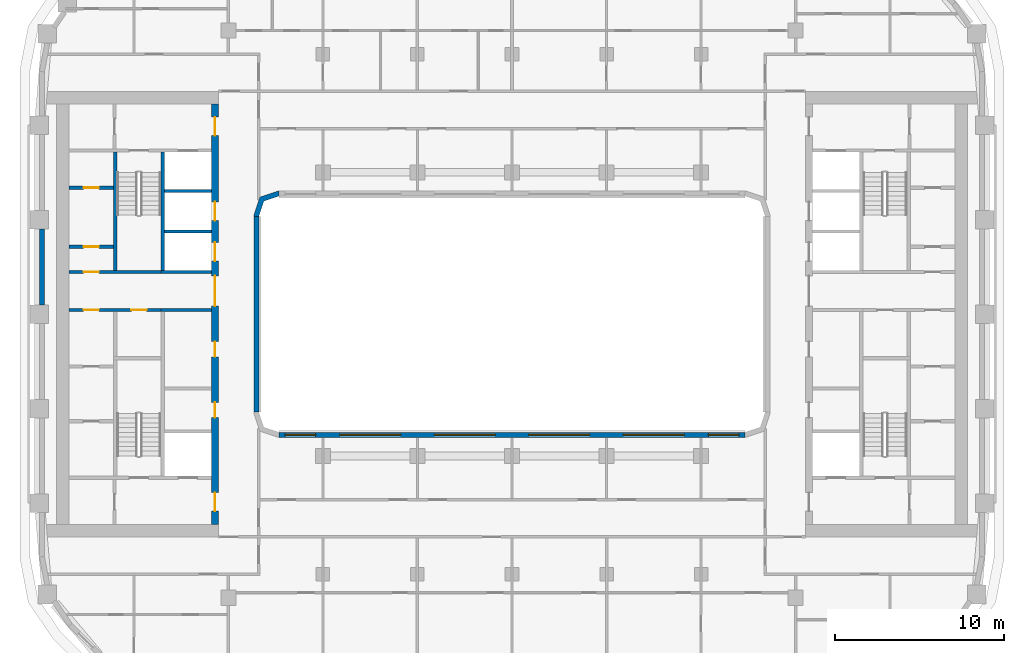
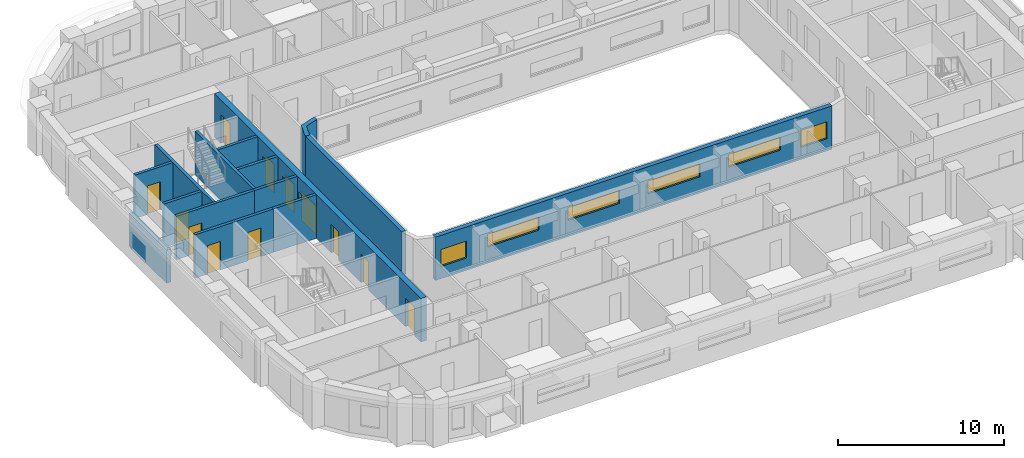
# One storey, part 4 of 22: 15 walls, 12 doors, 6 windows, 18 openings.
"""IFC4 building model written with IfcOpenShell, lengths in metres."""

from ifc_helpers import new_model, si_unit, direction, frame, frame_2d, origin, place, context, subcontext, project, spatial, polyline, rectangle, outline, extrude, material, layer, layer_set, type_object, element, fill, save


model = new_model("IFC4")

# Units and contexts
model_context = context("Model", 3, precision=1e-05, world=origin(), true_north=direction((0.0, 1.0)))
body_context = subcontext(model_context, "Body", "Model", "MODEL_VIEW")
ifc_project = project(units=[si_unit("LENGTHUNIT", "METRE"), si_unit("AREAUNIT", "SQUARE_METRE"), si_unit("VOLUMEUNIT", "CUBIC_METRE"), si_unit("PLANEANGLEUNIT", "RADIAN"), si_unit("MASSUNIT", "GRAM", prefix="KILO")], contexts=[model_context])

# Site, building, storey
site_placement = place(None, origin())
site = spatial("IfcSite", under=ifc_project, at=site_placement, CompositionType="ELEMENT")
building_placement = place(site_placement, origin())
building = spatial("IfcBuilding", under=site, at=building_placement, Name="Kiln Ring Residences", CompositionType="ELEMENT")
storey_placement = place(building_placement, frame((0.0, 0.0, 150.10009765625)))
storey = spatial("IfcBuildingStorey", under=building, at=storey_placement, Name="L38", CompositionType="ELEMENT", Elevation=150.10009765625)

# Wall, openings, doors
ifc_material_1 = material(Name="Gypsum board on steel studs", Category="steel")
ifc_layer_1 = layer(ifc_material_1, 0.199951171875)
ifc_layer_set_1 = layer_set([ifc_layer_1], Name="CORE-PARTITION-200")
wall_type_1 = type_object("IfcWallType", Name="CORE-PARTITION-200", PredefinedType="PARTITIONING", material=ifc_layer_set_1)
wall_1_placement = place(storey_placement, frame((-20.800048828125, 0.25, 0.0), z_axis=(0.0, 0.0, 1.0), x_axis=(-1.0, 0.0, 0.0)))
wall_1 = element("IfcWall", 1, at=wall_1_placement, inside=storey, type_object=wall_type_1, Name="Core partition west L38 2", PredefinedType="PARTITIONING", context=body_context, shape_type="SweptSolid", body=[
    extrude(rectangle(XDim=5.449951171875, YDim=0.199951171875, at=frame_2d((2.72509765625, 0.0))), origin(), (0.0, 0.0, 1.0), 3.199951171875),
])
opening_1_placement = place(wall_1_placement, frame((0.85009765625, 0.0, 0.0)))
opening_1 = element("IfcOpeningElement", 2, at=opening_1_placement, cuts=wall_1, Name="Opening L38-CW14", PredefinedType="OPENING", context=body_context, shape_type="SweptSolid", body=[
    extrude(rectangle(XDim=0.89990234375, YDim=2.10009765625, at=frame_2d((0.449951171875, 1.050048828125))), frame((0.0, 0.10986328125, 0.0), z_axis=(0.0, -1.0, 0.0), x_axis=(1.0, 0.0, 0.0)), (0.0, 0.0, 1.0), 0.219970703125),
])
opening_2_placement = place(wall_1_placement, frame((3.675048828125, 0.0, 0.0)))
opening_2 = element("IfcOpeningElement", 3, at=opening_2_placement, cuts=wall_1, Name="Opening L38-CW17", PredefinedType="OPENING", context=body_context, shape_type="SweptSolid", body=[
    extrude(rectangle(XDim=0.89990234375, YDim=2.10009765625, at=frame_2d((0.449951171875, 1.050048828125))), frame((0.0, 0.10986328125, 0.0), z_axis=(0.0, -1.0, 0.0), x_axis=(1.0, 0.0, 0.0)), (0.0, 0.0, 1.0), 0.219970703125),
])
ifc_material_2 = material(Name="Steel door leaf", Category="steel")
door_type_1 = type_object("IfcDoorType", Name="CORE-DOOR-ROOM", OperationType="SINGLE_SWING_LEFT", PredefinedType="DOOR", material=ifc_material_2)
door_1_placement = place(opening_1_placement, origin())
door_1 = element("IfcDoor", 4, at=door_1_placement, inside=storey, type_object=door_type_1, Name="Electrical riser room L38-CW14", OperationType="SINGLE_SWING_RIGHT", OverallHeight=2.10009765625, OverallWidth=0.89990234375, PredefinedType="DOOR", context=body_context, shape_type="SweptSolid", body=[
    extrude(rectangle(XDim=0.89990234375, YDim=2.10009765625, at=frame_2d((0.449951171875, 1.050048828125))), frame((0.0, 0.02490234375, 0.0), z_axis=(0.0, -1.0, 0.0), x_axis=(1.0, 0.0, 0.0)), (0.0, 0.0, 1.0), 0.050048828125),
])
fill(opening_1, door_1)
door_2_placement = place(opening_2_placement, origin())
door_2 = element("IfcDoor", 5, at=door_2_placement, inside=storey, type_object=door_type_1, Name="Plant room L38-CW17", OperationType="SINGLE_SWING_LEFT", OverallHeight=2.10009765625, OverallWidth=0.89990234375, PredefinedType="DOOR", context=body_context, shape_type="SweptSolid", body=[
    extrude(rectangle(XDim=0.89990234375, YDim=2.10009765625, at=frame_2d((0.449951171875, 1.050048828125))), frame((0.0, 0.02490234375, 0.0), z_axis=(0.0, -1.0, 0.0), x_axis=(1.0, 0.0, 0.0)), (0.0, 0.0, 1.0), 0.050048828125),
])
fill(opening_2, door_2)

# Wall, opening, door
wall_2_placement = place(storey_placement, frame((-23.60009765625, 4.0, 0.0), z_axis=(0.0, 0.0, 1.0), x_axis=(-1.0, 0.0, 0.0)))
wall_2 = element("IfcWall", 6, at=wall_2_placement, inside=storey, type_object=wall_type_1, Name="Core partition west L38 8", PredefinedType="PARTITIONING", context=body_context, shape_type="SweptSolid", body=[
    extrude(rectangle(XDim=2.64990234375, YDim=0.199951171875, at=frame_2d((1.324951171875, 0.0))), origin(), (0.0, 0.0, 1.0), 3.199951171875),
])
opening_3_placement = place(wall_2_placement, frame((0.875, 0.0, 0.0)))
opening_3 = element("IfcOpeningElement", 7, at=opening_3_placement, cuts=wall_2, Name="Opening L38-CW18", PredefinedType="OPENING", context=body_context, shape_type="SweptSolid", body=[
    extrude(rectangle(XDim=0.89990234375, YDim=2.10009765625, at=frame_2d((0.449951171875, 1.050048828125))), frame((0.0, 0.10986328125, 0.0), z_axis=(0.0, -1.0, 0.0), x_axis=(1.0, 0.0, 0.0)), (0.0, 0.0, 1.0), 0.219970703125),
])
door_3_placement = place(opening_3_placement, origin())
door_3 = element("IfcDoor", 8, at=door_3_placement, inside=storey, type_object=door_type_1, Name="Electrical plant room L38-CW18", OperationType="SINGLE_SWING_LEFT", OverallHeight=2.10009765625, OverallWidth=0.89990234375, PredefinedType="DOOR", context=body_context, shape_type="SweptSolid", body=[
    extrude(rectangle(XDim=0.89990234375, YDim=2.10009765625, at=frame_2d((0.449951171875, 1.050048828125))), frame((0.0, 0.02490234375, 0.0), z_axis=(0.0, -1.0, 0.0), x_axis=(1.0, 0.0, 0.0)), (0.0, 0.0, 1.0), 0.050048828125),
])
fill(opening_3, door_3)

wall_3_placement = place(storey_placement, frame((-23.60009765625, 7.5, 0.0), z_axis=(0.0, 0.0, 1.0), x_axis=(-1.0, 0.0, 0.0)))
wall_3 = element("IfcWall", 9, at=wall_3_placement, inside=storey, type_object=wall_type_1, Name="Core partition west L38 9", PredefinedType="PARTITIONING", context=body_context, shape_type="SweptSolid", body=[
    extrude(rectangle(XDim=2.64990234375, YDim=0.199951171875, at=frame_2d((1.324951171875, 0.0))), origin(), (0.0, 0.0, 1.0), 3.199951171875),
])
opening_4_placement = place(wall_3_placement, frame((0.875, 0.0, 0.0)))
opening_4 = element("IfcOpeningElement", 10, at=opening_4_placement, cuts=wall_3, Name="Opening L38-CW19", PredefinedType="OPENING", context=body_context, shape_type="SweptSolid", body=[
    extrude(rectangle(XDim=0.89990234375, YDim=2.10009765625, at=frame_2d((0.449951171875, 1.050048828125))), frame((0.0, 0.10986328125, 0.0), z_axis=(0.0, -1.0, 0.0), x_axis=(1.0, 0.0, 0.0)), (0.0, 0.0, 1.0), 0.219970703125),
])
door_4_placement = place(opening_4_placement, origin())
door_4 = element("IfcDoor", 11, at=door_4_placement, inside=storey, type_object=door_type_1, Name="UPS room L38-CW19", OperationType="SINGLE_SWING_RIGHT", OverallHeight=2.10009765625, OverallWidth=0.89990234375, PredefinedType="DOOR", context=body_context, shape_type="SweptSolid", body=[
    extrude(rectangle(XDim=0.89990234375, YDim=2.10009765625, at=frame_2d((0.449951171875, 1.050048828125))), frame((0.0, 0.02490234375, 0.0), z_axis=(0.0, -1.0, 0.0), x_axis=(1.0, 0.0, 0.0)), (0.0, 0.0, 1.0), 0.050048828125),
])
fill(opening_4, door_4)

# Walls
ifc_material_3 = material(Name="Gypsum shaft wall system")
ifc_layer_2 = layer(ifc_material_3, 0.199951171875)
ifc_layer_set_2 = layer_set([ifc_layer_2], Name="CORE-SHAFT-WALL-200")
wall_type_2 = type_object("IfcWallType", Name="CORE-SHAFT-WALL-200", PredefinedType="PARTITIONING", material=ifc_layer_set_2)
for number, where, z_axis, x_axis, name in (
    (12, (-17.800048828125, 0.25, 0.0), (0.0, 0.0, 1.0), (-1.0, 0.0, 0.0), "Core partition west L38 11"),
    (13, (-17.800048828125, 2.5, 0.0), (0.0, 0.0, 1.0), (-1.0, 0.0, 0.0), "Core partition west L38 12"),
):
    element("IfcWall", number, at=place(storey_placement, frame(where, z_axis=z_axis, x_axis=x_axis)), inside=storey, type_object=wall_type_2, Name=name, PredefinedType="PARTITIONING", context=body_context, shape_type="SweptSolid", body=[
        extrude(rectangle(XDim=3.0, YDim=0.199951171875, at=frame_2d((1.5, 0.0))), origin(), (0.0, 0.0, 1.0), 3.199951171875),
    ])
for number, where, z_axis, x_axis, name in (
    (14, (-17.800048828125, 4.89990234375, 0.0), (0.0, 0.0, 1.0), (-1.0, 0.0, 0.0), "Core partition west L38 13"),
    (15, (-17.800048828125, 7.300048828125, 0.0), (0.0, 0.0, 1.0), (-1.0, 0.0, 0.0), "Core partition west L38 14"),
):
    element("IfcWall", number, at=place(storey_placement, frame(where, z_axis=z_axis, x_axis=x_axis)), inside=storey, type_object=wall_type_2, Name=name, PredefinedType="PARTITIONING", context=body_context, shape_type="SweptSolid", body=[
        extrude(rectangle(XDim=2.800048828125, YDim=0.199951171875, at=frame_2d((1.39990234375, 0.0))), origin(), (0.0, 0.0, 1.0), 3.199951171875),
    ])
ifc_material_4 = material(Name="Concrete C40/50", Category="concrete")
ifc_layer_3 = layer(ifc_material_4, 0.199951171875)
ifc_layer_set_3 = layer_set([ifc_layer_3], Name="CORE-WALL-RC200")
wall_type_3 = type_object("IfcWallType", Name="CORE-WALL-RC200", PredefinedType="SHEAR", material=ifc_layer_set_3)
wall_4_placement = place(storey_placement, frame((-20.699951171875, 2.60009765625, 0.0), z_axis=(0.0, 0.0, 1.0), x_axis=(0.0, 1.0, 0.0)))
element("IfcWall", 16, at=wall_4_placement, inside=storey, type_object=wall_type_3, Name="Core wall west L38 1", PredefinedType="SHEAR", context=body_context, shape_type="SweptSolid", body=[
    extrude(rectangle(XDim=7.0, YDim=0.199951171875, at=frame_2d((3.5, 0.0))), origin(), (0.0, 0.0, 1.0), 3.199951171875),
])

# Wall, opening, door
wall_5_placement = place(storey_placement, frame((-20.800048828125, 2.5, 0.0), z_axis=(0.0, 0.0, 1.0), x_axis=(-1.0, 0.0, 0.0)))
wall_5 = element("IfcWall", 17, at=wall_5_placement, inside=storey, type_object=wall_type_3, Name="Core wall west L38 3", PredefinedType="SHEAR", context=body_context, shape_type="SweptSolid", body=[
    extrude(rectangle(XDim=5.449951171875, YDim=0.199951171875, at=frame_2d((2.72509765625, 0.0))), origin(), (0.0, 0.0, 1.0), 3.199951171875),
])
opening_5_placement = place(wall_5_placement, frame((3.675048828125, 0.0, 0.0)))
opening_5 = element("IfcOpeningElement", 18, at=opening_5_placement, cuts=wall_5, Name="Opening L38-CW20", PredefinedType="OPENING", context=body_context, shape_type="SweptSolid", body=[
    extrude(rectangle(XDim=0.89990234375, YDim=2.10009765625, at=frame_2d((0.449951171875, 1.050048828125))), frame((0.0, 0.10986328125, 0.0), z_axis=(0.0, -1.0, 0.0), x_axis=(1.0, 0.0, 0.0)), (0.0, 0.0, 1.0), 0.219970703125),
])
door_5_placement = place(opening_5_placement, origin())
door_5 = element("IfcDoor", 19, at=door_5_placement, inside=storey, type_object=door_type_1, Name="Comms room L38-CW20", OperationType="SINGLE_SWING_LEFT", OverallHeight=2.10009765625, OverallWidth=0.89990234375, PredefinedType="DOOR", context=body_context, shape_type="SweptSolid", body=[
    extrude(rectangle(XDim=0.89990234375, YDim=2.10009765625, at=frame_2d((0.449951171875, 1.050048828125))), frame((0.0, 0.02490234375, 0.0), z_axis=(0.0, -1.0, 0.0), x_axis=(1.0, 0.0, 0.0)), (0.0, 0.0, 1.0), 0.050048828125),
])
fill(opening_5, door_5)

# Wall
wall_6_placement = place(storey_placement, frame((-23.5, 2.60009765625, 0.0), z_axis=(0.0, 0.0, 1.0), x_axis=(0.0, 1.0, 0.0)))
element("IfcWall", 20, at=wall_6_placement, inside=storey, type_object=wall_type_3, Name="Core wall west L38 10", PredefinedType="SHEAR", context=body_context, shape_type="SweptSolid", body=[
    extrude(rectangle(XDim=7.0, YDim=0.199951171875, at=frame_2d((3.5, 0.0))), origin(), (0.0, 0.0, 1.0), 3.199951171875),
])

# Wall, openings, doors
ifc_material_5 = material(Name="Concrete C60/75", Category="concrete")
ifc_layer_4 = layer(ifc_material_5, 0.39990234375)
ifc_layer_set_4 = layer_set([ifc_layer_4], Name="CORE-WALL-RC400")
wall_type_4 = type_object("IfcWallType", Name="CORE-WALL-RC400", PredefinedType="SHEAR", material=ifc_layer_set_4)
wall_7_placement = place(storey_placement, frame((-17.60009765625, -12.449951171875, 0.0), z_axis=(0.0, 0.0, 1.0), x_axis=(0.0, 1.0, 0.0)))
wall_7 = element("IfcWall", 21, at=wall_7_placement, inside=storey, type_object=wall_type_4, Name="Core wall west L38 6", PredefinedType="SHEAR", context=body_context, shape_type="SweptSolid", body=[
    extrude(rectangle(XDim=24.89990234375, YDim=0.39990234375, at=frame_2d((12.449951171875, 0.0))), origin(), (0.0, 0.0, 1.0), 3.199951171875),
])
opening_6_placement = place(wall_7_placement, frame((6.324951171875, 0.0, 0.0)))
opening_6 = element("IfcOpeningElement", 22, at=opening_6_placement, cuts=wall_7, Name="Opening L38-CW02", PredefinedType="OPENING", context=body_context, shape_type="SweptSolid", body=[
    extrude(rectangle(XDim=0.89990234375, YDim=2.10009765625, at=frame_2d((0.449951171875, 1.050048828125))), frame((0.0, 0.2099609375, 0.0), z_axis=(0.0, -1.0, 0.0), x_axis=(1.0, 0.0, 0.0)), (0.0, 0.0, 1.0), 0.419921875),
])
opening_7_placement = place(wall_7_placement, frame((9.925048828125, 0.0, 0.0)))
opening_7 = element("IfcOpeningElement", 23, at=opening_7_placement, cuts=wall_7, Name="Opening L38-CW03", PredefinedType="OPENING", context=body_context, shape_type="SweptSolid", body=[
    extrude(rectangle(XDim=0.89990234375, YDim=2.10009765625, at=frame_2d((0.449951171875, 1.050048828125))), frame((0.0, 0.2099609375, 0.0), z_axis=(0.0, -1.0, 0.0), x_axis=(1.0, 0.0, 0.0)), (0.0, 0.0, 1.0), 0.419921875),
])
opening_8_placement = place(wall_7_placement, frame((15.60009765625, 0.0, 0.0)))
opening_8 = element("IfcOpeningElement", 24, at=opening_8_placement, cuts=wall_7, Name="Opening L38-CW04", PredefinedType="OPENING", context=body_context, shape_type="SweptSolid", body=[
    extrude(rectangle(XDim=1.10009765625, YDim=2.10009765625, at=frame_2d((0.550048828125, 1.050048828125))), frame((0.0, 0.2099609375, 0.0), z_axis=(0.0, -1.0, 0.0), x_axis=(1.0, 0.0, 0.0)), (0.0, 0.0, 1.0), 0.419921875),
])
opening_9_placement = place(wall_7_placement, frame((18.0, 0.0, 0.0)))
opening_9 = element("IfcOpeningElement", 25, at=opening_9_placement, cuts=wall_7, Name="Opening L38-CW05", PredefinedType="OPENING", context=body_context, shape_type="SweptSolid", body=[
    extrude(rectangle(XDim=1.10009765625, YDim=2.10009765625, at=frame_2d((0.550048828125, 1.050048828125))), frame((0.0, 0.2099609375, 0.0), z_axis=(0.0, -1.0, 0.0), x_axis=(1.0, 0.0, 0.0)), (0.0, 0.0, 1.0), 0.419921875),
])
opening_10_placement = place(wall_7_placement, frame((23.02490234375, 0.0, 0.0)))
opening_10 = element("IfcOpeningElement", 26, at=opening_10_placement, cuts=wall_7, Name="Opening L38-CW07", PredefinedType="OPENING", context=body_context, shape_type="SweptSolid", body=[
    extrude(rectangle(XDim=1.10009765625, YDim=2.10009765625, at=frame_2d((0.550048828125, 1.050048828125))), frame((0.0, 0.2099609375, 0.0), z_axis=(0.0, -1.0, 0.0), x_axis=(1.0, 0.0, 0.0)), (0.0, 0.0, 1.0), 0.419921875),
])
opening_11_placement = place(wall_7_placement, frame((0.77490234375, 0.0, 0.0)))
opening_11 = element("IfcOpeningElement", 27, at=opening_11_placement, cuts=wall_7, Name="Opening L38-CW08", PredefinedType="OPENING", context=body_context, shape_type="SweptSolid", body=[
    extrude(rectangle(XDim=1.10009765625, YDim=2.10009765625, at=frame_2d((0.550048828125, 1.050048828125))), frame((0.0, 0.2099609375, 0.0), z_axis=(0.0, -1.0, 0.0), x_axis=(1.0, 0.0, 0.0)), (0.0, 0.0, 1.0), 0.419921875),
])
opening_12_placement = place(wall_7_placement, frame((12.925048828125, 0.0, 0.0)))
opening_12 = element("IfcOpeningElement", 28, at=opening_12_placement, cuts=wall_7, Name="Opening L38-CW13", PredefinedType="OPENING", context=body_context, shape_type="SweptSolid", body=[
    extrude(rectangle(XDim=1.800048828125, YDim=2.10009765625, at=frame_2d((0.89990234375, 1.050048828125))), frame((0.0, 0.2099609375, 0.0), z_axis=(0.0, -1.0, 0.0), x_axis=(1.0, 0.0, 0.0)), (0.0, 0.0, 1.0), 0.419921875),
])
ifc_material_6 = material(Name="Steel door leaf", Category="steel")
door_type_2 = type_object("IfcDoorType", Name="CORE-DOOR-LD", OperationType="DOUBLE_DOOR_SLIDING", PredefinedType="DOOR", material=ifc_material_6)
door_6_placement = place(opening_8_placement, origin())
door_6 = element("IfcDoor", 29, at=door_6_placement, inside=storey, type_object=door_type_2, Name="LD W-M1 L38-CW04", OperationType="DOUBLE_DOOR_SLIDING", OverallHeight=2.10009765625, OverallWidth=1.10009765625, PredefinedType="DOOR", context=body_context, shape_type="SweptSolid", body=[
    extrude(rectangle(XDim=1.10009765625, YDim=2.10009765625, at=frame_2d((0.550048828125, 1.050048828125))), frame((0.0, 0.02490234375, 0.0), z_axis=(0.0, -1.0, 0.0), x_axis=(1.0, 0.0, 0.0)), (0.0, 0.0, 1.0), 0.050048828125),
])
fill(opening_8, door_6)
door_7_placement = place(opening_9_placement, origin())
door_7 = element("IfcDoor", 30, at=door_7_placement, inside=storey, type_object=door_type_2, Name="LD W-M2 L38-CW05", OperationType="DOUBLE_DOOR_SLIDING", OverallHeight=2.10009765625, OverallWidth=1.10009765625, PredefinedType="DOOR", context=body_context, shape_type="SweptSolid", body=[
    extrude(rectangle(XDim=1.10009765625, YDim=2.10009765625, at=frame_2d((0.550048828125, 1.050048828125))), frame((0.0, 0.02490234375, 0.0), z_axis=(0.0, -1.0, 0.0), x_axis=(1.0, 0.0, 0.0)), (0.0, 0.0, 1.0), 0.050048828125),
])
fill(opening_9, door_7)
ifc_material_7 = material(Name="Steel door leaf", Category="steel")
door_type_3 = type_object("IfcDoorType", Name="CORE-DOOR-LOBBY", OperationType="SINGLE_SWING_LEFT", PredefinedType="DOOR", material=ifc_material_7)
door_8_placement = place(opening_10_placement, origin())
door_8 = element("IfcDoor", 31, at=door_8_placement, inside=storey, type_object=door_type_3, Name="FFL L38-CW07", OperationType="SINGLE_SWING_RIGHT", OverallHeight=2.10009765625, OverallWidth=1.10009765625, PredefinedType="DOOR", context=body_context, shape_type="SweptSolid", body=[
    extrude(rectangle(XDim=1.10009765625, YDim=2.10009765625, at=frame_2d((0.550048828125, 1.050048828125))), frame((0.0, 0.02490234375, 0.0), z_axis=(0.0, -1.0, 0.0), x_axis=(1.0, 0.0, 0.0)), (0.0, 0.0, 1.0), 0.050048828125),
])
fill(opening_10, door_8)
door_9_placement = place(opening_11_placement, origin())
door_9 = element("IfcDoor", 32, at=door_9_placement, inside=storey, type_object=door_type_3, Name="SVL L38-CW08", OperationType="SINGLE_SWING_LEFT", OverallHeight=2.10009765625, OverallWidth=1.10009765625, PredefinedType="DOOR", context=body_context, shape_type="SweptSolid", body=[
    extrude(rectangle(XDim=1.10009765625, YDim=2.10009765625, at=frame_2d((0.550048828125, 1.050048828125))), frame((0.0, 0.02490234375, 0.0), z_axis=(0.0, -1.0, 0.0), x_axis=(1.0, 0.0, 0.0)), (0.0, 0.0, 1.0), 0.050048828125),
])
fill(opening_11, door_9)
ifc_material_8 = material(Name="Steel door leaf", Category="steel")
door_type_4 = type_object("IfcDoorType", Name="CORE-DOOR-PASS", OperationType="DOUBLE_DOOR_SINGLE_SWING", PredefinedType="DOOR", material=ifc_material_8)
door_10_placement = place(opening_12_placement, origin())
door_10 = element("IfcDoor", 33, at=door_10_placement, inside=storey, type_object=door_type_4, Name="Core passage L38-CW13", OperationType="DOUBLE_DOOR_SINGLE_SWING", OverallHeight=2.10009765625, OverallWidth=1.800048828125, PredefinedType="DOOR", context=body_context, shape_type="SweptSolid", body=[
    extrude(rectangle(XDim=1.800048828125, YDim=2.10009765625, at=frame_2d((0.89990234375, 1.050048828125))), frame((0.0, 0.02490234375, 0.0), z_axis=(0.0, -1.0, 0.0), x_axis=(1.0, 0.0, 0.0)), (0.0, 0.0, 1.0), 0.050048828125),
])
fill(opening_12, door_10)
door_11_placement = place(opening_6_placement, origin())
door_11 = element("IfcDoor", 34, at=door_11_placement, inside=storey, type_object=door_type_1, Name="Goods store L38-CW02", OperationType="SINGLE_SWING_RIGHT", OverallHeight=2.10009765625, OverallWidth=0.89990234375, PredefinedType="DOOR", context=body_context, shape_type="SweptSolid", body=[
    extrude(rectangle(XDim=0.89990234375, YDim=2.10009765625, at=frame_2d((0.449951171875, 1.050048828125))), frame((0.0, 0.02490234375, 0.0), z_axis=(0.0, -1.0, 0.0), x_axis=(1.0, 0.0, 0.0)), (0.0, 0.0, 1.0), 0.050048828125),
])
fill(opening_6, door_11)
door_12_placement = place(opening_7_placement, origin())
door_12 = element("IfcDoor", 35, at=door_12_placement, inside=storey, type_object=door_type_1, Name="Storage room L38-CW03", OperationType="SINGLE_SWING_LEFT", OverallHeight=2.10009765625, OverallWidth=0.89990234375, PredefinedType="DOOR", context=body_context, shape_type="SweptSolid", body=[
    extrude(rectangle(XDim=0.89990234375, YDim=2.10009765625, at=frame_2d((0.449951171875, 1.050048828125))), frame((0.0, 0.02490234375, 0.0), z_axis=(0.0, -1.0, 0.0), x_axis=(1.0, 0.0, 0.0)), (0.0, 0.0, 1.0), 0.050048828125),
])
fill(opening_7, door_12)

# Walls
ifc_material_9 = material(Name="Brick masonry, dark clay brick", Category="masonry")
ifc_layer_5 = layer(ifc_material_9, 0.300048828125)
ifc_layer_set_5 = layer_set([ifc_layer_5], Name="EW-300 BRICK WALL")
wall_type_5 = type_object("IfcWallType", Name="EW-300 BRICK WALL", PredefinedType="SOLIDWALL", material=ifc_layer_set_5)
wall_8_placement = place(storey_placement, frame((-27.85009765625, 5.050048828125, 0.0), z_axis=(0.0, 0.0, 1.0), x_axis=(0.0, -1.0, 0.0)))
element("IfcWall", 36, at=wall_8_placement, inside=storey, type_object=wall_type_5, Name="Facade wall L38 43", PredefinedType="SOLIDWALL", context=body_context, shape_type="SweptSolid", body=[
    extrude(rectangle(XDim=4.5, YDim=0.300048828125, at=frame_2d((2.25, 0.0))), origin(), (0.0, 0.0, 1.0), 2.449951171875),
])
wall_9_placement = place(storey_placement, frame((-15.14990234375, -5.800048828125, 0.0), z_axis=(0.0, 0.0, 1.0), x_axis=(0.0, 1.0, 0.0)))
element("IfcWall", 37, at=wall_9_placement, inside=storey, type_object=wall_type_5, Name="Facade wall L38 49", PredefinedType="SOLIDWALL", context=body_context, shape_type="SweptSolid", body=[
    extrude(rectangle(XDim=11.60009765625, YDim=0.300048828125, at=frame_2d((5.800048828125, 0.0))), origin(), (0.0, 0.0, 1.0), 3.199951171875),
])

# Wall, openings, windows
wall_10_placement = place(storey_placement, frame((13.800048828125, -7.14990234375, 0.0), z_axis=(0.0, 0.0, 1.0), x_axis=(-1.0, 0.0, 0.0)))
wall_10 = element("IfcWall", 38, at=wall_10_placement, inside=storey, type_object=wall_type_5, Name="Facade wall L38 52", PredefinedType="SOLIDWALL", context=body_context, shape_type="SweptSolid", body=[
    extrude(rectangle(XDim=27.60009765625, YDim=0.300048828125, at=frame_2d((13.800048828125, 0.0))), origin(), (0.0, 0.0, 1.0), 3.199951171875),
])
opening_13_placement = place(wall_10_placement, frame((0.362548828125, 0.0, 0.89990234375)))
opening_13 = element("IfcOpeningElement", 39, at=opening_13_placement, cuts=wall_10, Name="Opening W2", PredefinedType="OPENING", context=body_context, shape_type="SweptSolid", body=[
    extrude(rectangle(XDim=1.800048828125, YDim=1.25, at=frame_2d((0.89990234375, 0.625))), frame((0.0, 0.159912109375, 0.0), z_axis=(0.0, -1.0, 0.0), x_axis=(1.0, 0.0, 0.0)), (0.0, 0.0, 1.0), 0.320068359375),
])
opening_14_placement = place(wall_10_placement, frame((3.60009765625, 0.0, 1.199951171875)))
opening_14 = element("IfcOpeningElement", 40, at=opening_14_placement, cuts=wall_10, Name="Opening W4", PredefinedType="OPENING", context=body_context, shape_type="SweptSolid", body=[
    extrude(rectangle(XDim=3.60009765625, YDim=0.949951171875, at=frame_2d((1.800048828125, 0.47509765625))), frame((0.0, 0.159912109375, 0.0), z_axis=(0.0, -1.0, 0.0), x_axis=(1.0, 0.0, 0.0)), (0.0, 0.0, 1.0), 0.320068359375),
])
opening_15_placement = place(wall_10_placement, frame((9.199951171875, 0.0, 1.199951171875)))
opening_15 = element("IfcOpeningElement", 41, at=opening_15_placement, cuts=wall_10, Name="Opening W4", PredefinedType="OPENING", context=body_context, shape_type="SweptSolid", body=[
    extrude(rectangle(XDim=3.60009765625, YDim=0.949951171875, at=frame_2d((1.800048828125, 0.47509765625))), frame((0.0, 0.159912109375, 0.0), z_axis=(0.0, -1.0, 0.0), x_axis=(1.0, 0.0, 0.0)), (0.0, 0.0, 1.0), 0.320068359375),
])
opening_16_placement = place(wall_10_placement, frame((14.800048828125, 0.0, 1.199951171875)))
opening_16 = element("IfcOpeningElement", 42, at=opening_16_placement, cuts=wall_10, Name="Opening W4", PredefinedType="OPENING", context=body_context, shape_type="SweptSolid", body=[
    extrude(rectangle(XDim=3.60009765625, YDim=0.949951171875, at=frame_2d((1.800048828125, 0.47509765625))), frame((0.0, 0.159912109375, 0.0), z_axis=(0.0, -1.0, 0.0), x_axis=(1.0, 0.0, 0.0)), (0.0, 0.0, 1.0), 0.320068359375),
])
opening_17_placement = place(wall_10_placement, frame((20.39990234375, 0.0, 1.199951171875)))
opening_17 = element("IfcOpeningElement", 43, at=opening_17_placement, cuts=wall_10, Name="Opening W4", PredefinedType="OPENING", context=body_context, shape_type="SweptSolid", body=[
    extrude(rectangle(XDim=3.60009765625, YDim=0.949951171875, at=frame_2d((1.800048828125, 0.47509765625))), frame((0.0, 0.159912109375, 0.0), z_axis=(0.0, -1.0, 0.0), x_axis=(1.0, 0.0, 0.0)), (0.0, 0.0, 1.0), 0.320068359375),
])
opening_18_placement = place(wall_10_placement, frame((25.4375, 0.0, 0.89990234375)))
opening_18 = element("IfcOpeningElement", 44, at=opening_18_placement, cuts=wall_10, Name="Opening W2", PredefinedType="OPENING", context=body_context, shape_type="SweptSolid", body=[
    extrude(rectangle(XDim=1.800048828125, YDim=1.25, at=frame_2d((0.89990234375, 0.625))), frame((0.0, 0.159912109375, 0.0), z_axis=(0.0, -1.0, 0.0), x_axis=(1.0, 0.0, 0.0)), (0.0, 0.0, 1.0), 0.320068359375),
])
ifc_material_10 = material(Name="Aluminium frame with double glazing", Category="aluminium")
window_type_1 = type_object("IfcWindowType", Name="WINDOW 1800 x 1250", PartitioningType="SINGLE_PANEL", PredefinedType="WINDOW", material=ifc_material_10)
window_1_placement = place(opening_13_placement, origin())
window_1 = element("IfcWindow", 45, at=window_1_placement, inside=storey, type_object=window_type_1, Name="Window L38 34", OverallHeight=1.25, OverallWidth=1.800048828125, PartitioningType="SINGLE_PANEL", PredefinedType="WINDOW", context=body_context, shape_type="SweptSolid", body=[
    extrude(rectangle(XDim=1.800048828125, YDim=1.25, at=frame_2d((0.89990234375, 0.625))), frame((0.0, 0.030029296875, 0.0), z_axis=(0.0, -1.0, 0.0), x_axis=(1.0, 0.0, 0.0)), (0.0, 0.0, 1.0), 0.06005859375),
])
fill(opening_13, window_1)
window_2_placement = place(opening_18_placement, origin())
window_2 = element("IfcWindow", 46, at=window_2_placement, inside=storey, type_object=window_type_1, Name="Window L38 39", OverallHeight=1.25, OverallWidth=1.800048828125, PartitioningType="SINGLE_PANEL", PredefinedType="WINDOW", context=body_context, shape_type="SweptSolid", body=[
    extrude(rectangle(XDim=1.800048828125, YDim=1.25, at=frame_2d((0.89990234375, 0.625))), frame((0.0, 0.030029296875, 0.0), z_axis=(0.0, -1.0, 0.0), x_axis=(1.0, 0.0, 0.0)), (0.0, 0.0, 1.0), 0.06005859375),
])
fill(opening_18, window_2)
ifc_material_11 = material(Name="Aluminium frame with double glazing", Category="aluminium")
window_type_2 = type_object("IfcWindowType", Name="WINDOW 3600 x 950", PartitioningType="SINGLE_PANEL", PredefinedType="WINDOW", material=ifc_material_11)
window_3_placement = place(opening_14_placement, origin())
window_3 = element("IfcWindow", 47, at=window_3_placement, inside=storey, type_object=window_type_2, Name="Window L38 35", OverallHeight=0.949951171875, OverallWidth=3.60009765625, PartitioningType="SINGLE_PANEL", PredefinedType="WINDOW", context=body_context, shape_type="SweptSolid", body=[
    extrude(rectangle(XDim=3.60009765625, YDim=0.949951171875, at=frame_2d((1.800048828125, 0.47509765625))), frame((0.0, 0.030029296875, 0.0), z_axis=(0.0, -1.0, 0.0), x_axis=(1.0, 0.0, 0.0)), (0.0, 0.0, 1.0), 0.06005859375),
])
fill(opening_14, window_3)
window_4_placement = place(opening_15_placement, origin())
window_4 = element("IfcWindow", 48, at=window_4_placement, inside=storey, type_object=window_type_2, Name="Window L38 36", OverallHeight=0.949951171875, OverallWidth=3.60009765625, PartitioningType="SINGLE_PANEL", PredefinedType="WINDOW", context=body_context, shape_type="SweptSolid", body=[
    extrude(rectangle(XDim=3.60009765625, YDim=0.949951171875, at=frame_2d((1.800048828125, 0.47509765625))), frame((0.0, 0.030029296875, 0.0), z_axis=(0.0, -1.0, 0.0), x_axis=(1.0, 0.0, 0.0)), (0.0, 0.0, 1.0), 0.06005859375),
])
fill(opening_15, window_4)
window_5_placement = place(opening_16_placement, origin())
window_5 = element("IfcWindow", 49, at=window_5_placement, inside=storey, type_object=window_type_2, Name="Window L38 37", OverallHeight=0.949951171875, OverallWidth=3.60009765625, PartitioningType="SINGLE_PANEL", PredefinedType="WINDOW", context=body_context, shape_type="SweptSolid", body=[
    extrude(rectangle(XDim=3.60009765625, YDim=0.949951171875, at=frame_2d((1.800048828125, 0.47509765625))), frame((0.0, 0.030029296875, 0.0), z_axis=(0.0, -1.0, 0.0), x_axis=(1.0, 0.0, 0.0)), (0.0, 0.0, 1.0), 0.06005859375),
])
fill(opening_16, window_5)
window_6_placement = place(opening_17_placement, origin())
window_6 = element("IfcWindow", 50, at=window_6_placement, inside=storey, type_object=window_type_2, Name="Window L38 38", OverallHeight=0.949951171875, OverallWidth=3.60009765625, PartitioningType="SINGLE_PANEL", PredefinedType="WINDOW", context=body_context, shape_type="SweptSolid", body=[
    extrude(rectangle(XDim=3.60009765625, YDim=0.949951171875, at=frame_2d((1.800048828125, 0.47509765625))), frame((0.0, 0.030029296875, 0.0), z_axis=(0.0, -1.0, 0.0), x_axis=(1.0, 0.0, 0.0)), (0.0, 0.0, 1.0), 0.06005859375),
])
fill(opening_17, window_6)

# Wall
wall_11_placement = place(storey_placement, origin())
element("IfcWall", 51, at=wall_11_placement, inside=storey, type_object=wall_type_5, Name="Corner wall L38 1", PredefinedType="SOLIDWALL", context=body_context, shape_type="SweptSolid", body=[
    extrude(outline(polyline([(-13.8486328125, 7.300048828125), (-14.937255859375, 6.937255859375), (-15.300048828125, 5.8486328125), (-15.300048828125, 5.800048828125), (-15.0, 5.800048828125), (-14.699951171875, 6.699951171875), (-13.800048828125, 7.0), (-13.800048828125, 7.300048828125), (-13.8486328125, 7.300048828125)])), origin(), (0.0, 0.0, 1.0), 3.199951171875),
])

save(model, "model.ifc")
